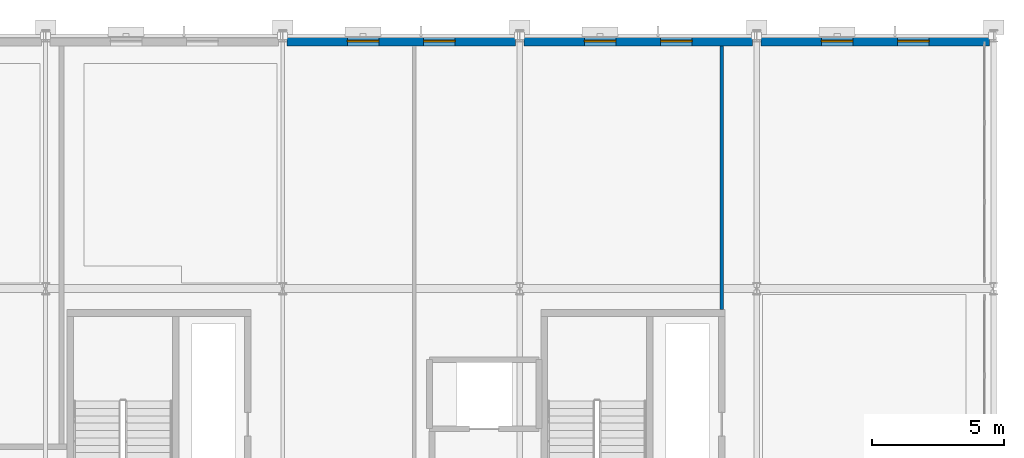
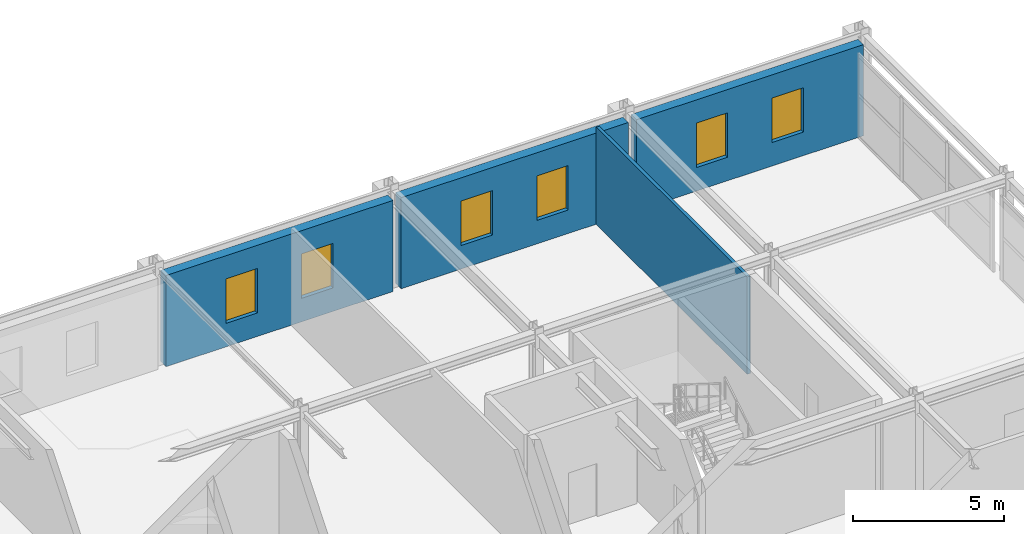
# One storey, part 53 of 81: 6 windows, 4 walls, 6 openings.
"""IFC4 building model written with IfcOpenShell, lengths in metres."""

from ifc_helpers import new_model, si_unit, direction, frame, frame_2d, origin, place, context, subcontext, project, spatial, rectangle, extrude, material, layer, layer_set, type_object, element, fill, save


model = new_model("IFC4")

# Units and contexts
model_context = context("Model", 3, precision=1e-05, world=origin(), true_north=direction((0.0, 1.0)))
body_context = subcontext(model_context, "Body", "Model", "MODEL_VIEW")
ifc_project = project(units=[si_unit("LENGTHUNIT", "METRE"), si_unit("AREAUNIT", "SQUARE_METRE"), si_unit("VOLUMEUNIT", "CUBIC_METRE"), si_unit("PLANEANGLEUNIT", "RADIAN"), si_unit("MASSUNIT", "GRAM", prefix="KILO")], contexts=[model_context])

# Site, building, storey
site_placement = place(None, origin())
site = spatial("IfcSite", under=ifc_project, at=site_placement, CompositionType="ELEMENT")
building_placement = place(site_placement, origin())
building = spatial("IfcBuilding", under=site, at=building_placement, Name="Myrtia Square Station", CompositionType="ELEMENT")
storey_placement = place(building_placement, frame((0.0, 0.0, 10.800048828125)))
storey = spatial("IfcBuildingStorey", under=building, at=storey_placement, Name="L02", CompositionType="ELEMENT", Elevation=10.800048828125)

# Wall, openings, windows
ifc_material_1 = material(Name="Cream lime stucco on clay brick masonry", Category="masonry")
ifc_layer_1 = layer(ifc_material_1, 0.360107421875, Name="Cream lime stucco on clay brick masonry")
ifc_layer_set_1 = layer_set([ifc_layer_1], Name="Cream lime stucco on clay brick masonry")
wall_type_1 = type_object("IfcWallType", Name="WL-EXT-STUCCO-360", PredefinedType="SOLIDWALL", material=ifc_layer_set_1)
wall_1_placement = place(storey_placement, frame((162.155029296875, 124.60009765625, 0.0), z_axis=(0.0, 0.0, 1.0), x_axis=(1.0, 0.0, 0.0)))
wall_1 = element("IfcWall", 1, at=wall_1_placement, inside=storey, type_object=wall_type_1, Name="Exterior envelope wall EW-L02-0125", PredefinedType="SOLIDWALL", context=body_context, shape_type="SweptSolid", body=[
    extrude(rectangle(XDim=8.68994140625, YDim=0.360107421875, at=frame_2d((4.344970703125, 0.0))), origin(), (0.0, 0.0, 1.0), 3.68994140625),
])
opening_1_placement = place(wall_1_placement, frame((2.297119140625, 0.0, 0.949951171875)))
opening_1 = element("IfcOpeningElement", 2, at=opening_1_placement, cuts=wall_1, Name="Opening WN-143", PredefinedType="OPENING", context=body_context, shape_type="SweptSolid", body=[
    extrude(rectangle(XDim=1.199951171875, YDim=1.800048828125, at=frame_2d((0.60009765625, 0.89990234375))), frame((0.0, 0.195068359375, 0.0), z_axis=(0.0, -1.0, 0.0), x_axis=(1.0, 0.0, 0.0)), (0.0, 0.0, 1.0), 0.39013671875),
])
opening_2_placement = place(wall_1_placement, frame((5.193115234375, 0.0, 0.949951171875)))
opening_2 = element("IfcOpeningElement", 3, at=opening_2_placement, cuts=wall_1, Name="Opening WN-144", PredefinedType="OPENING", context=body_context, shape_type="SweptSolid", body=[
    extrude(rectangle(XDim=1.199951171875, YDim=1.800048828125, at=frame_2d((0.60009765625, 0.89990234375))), frame((0.0, 0.195068359375, 0.0), z_axis=(0.0, -1.0, 0.0), x_axis=(1.0, 0.0, 0.0)), (0.0, 0.0, 1.0), 0.39013671875),
])
ifc_material_2 = material(Name="Tinted low-E solar control glass", Category="glass")
window_type = type_object("IfcWindowType", Name="WN-OPS-1200x1800", PartitioningType="SINGLE_PANEL", PredefinedType="WINDOW", material=ifc_material_2)
window_1_placement = place(opening_1_placement, origin())
window_1 = element("IfcWindow", 4, at=window_1_placement, inside=storey, type_object=window_type, Name="Window WN-143", OverallHeight=1.800048828125, OverallWidth=1.199951171875, PartitioningType="SINGLE_PANEL", PredefinedType="WINDOW", context=body_context, shape_type="SweptSolid", body=[
    extrude(rectangle(XDim=1.199951171875, YDim=1.800048828125, at=frame_2d((0.60009765625, 0.89990234375))), frame((0.0, 0.030029296875, 0.0), z_axis=(0.0, -1.0, 0.0), x_axis=(1.0, 0.0, 0.0)), (0.0, 0.0, 1.0), 0.06005859375),
])
fill(opening_1, window_1)
window_2_placement = place(opening_2_placement, origin())
window_2 = element("IfcWindow", 5, at=window_2_placement, inside=storey, type_object=window_type, Name="Window WN-144", OverallHeight=1.800048828125, OverallWidth=1.199951171875, PartitioningType="SINGLE_PANEL", PredefinedType="WINDOW", context=body_context, shape_type="SweptSolid", body=[
    extrude(rectangle(XDim=1.199951171875, YDim=1.800048828125, at=frame_2d((0.60009765625, 0.89990234375))), frame((0.0, 0.030029296875, 0.0), z_axis=(0.0, -1.0, 0.0), x_axis=(1.0, 0.0, 0.0)), (0.0, 0.0, 1.0), 0.06005859375),
])
fill(opening_2, window_2)

wall_2_placement = place(storey_placement, frame((171.155029296875, 124.60009765625, 0.0), z_axis=(0.0, 0.0, 1.0), x_axis=(1.0, 0.0, 0.0)))
wall_2 = element("IfcWall", 6, at=wall_2_placement, inside=storey, type_object=wall_type_1, Name="Exterior envelope wall EW-L02-0126", PredefinedType="SOLIDWALL", context=body_context, shape_type="SweptSolid", body=[
    extrude(rectangle(XDim=8.68994140625, YDim=0.360107421875, at=frame_2d((4.344970703125, 0.0))), origin(), (0.0, 0.0, 1.0), 3.68994140625),
])
opening_3_placement = place(wall_2_placement, frame((2.297119140625, 0.0, 0.949951171875)))
opening_3 = element("IfcOpeningElement", 7, at=opening_3_placement, cuts=wall_2, Name="Opening WN-145", PredefinedType="OPENING", context=body_context, shape_type="SweptSolid", body=[
    extrude(rectangle(XDim=1.199951171875, YDim=1.800048828125, at=frame_2d((0.60009765625, 0.89990234375))), frame((0.0, 0.195068359375, 0.0), z_axis=(0.0, -1.0, 0.0), x_axis=(1.0, 0.0, 0.0)), (0.0, 0.0, 1.0), 0.39013671875),
])
opening_4_placement = place(wall_2_placement, frame((5.193115234375, 0.0, 0.949951171875)))
opening_4 = element("IfcOpeningElement", 8, at=opening_4_placement, cuts=wall_2, Name="Opening WN-146", PredefinedType="OPENING", context=body_context, shape_type="SweptSolid", body=[
    extrude(rectangle(XDim=1.199951171875, YDim=1.800048828125, at=frame_2d((0.60009765625, 0.89990234375))), frame((0.0, 0.195068359375, 0.0), z_axis=(0.0, -1.0, 0.0), x_axis=(1.0, 0.0, 0.0)), (0.0, 0.0, 1.0), 0.39013671875),
])
window_3_placement = place(opening_3_placement, origin())
window_3 = element("IfcWindow", 9, at=window_3_placement, inside=storey, type_object=window_type, Name="Window WN-145", OverallHeight=1.800048828125, OverallWidth=1.199951171875, PartitioningType="SINGLE_PANEL", PredefinedType="WINDOW", context=body_context, shape_type="SweptSolid", body=[
    extrude(rectangle(XDim=1.199951171875, YDim=1.800048828125, at=frame_2d((0.60009765625, 0.89990234375))), frame((0.0, 0.030029296875, 0.0), z_axis=(0.0, -1.0, 0.0), x_axis=(1.0, 0.0, 0.0)), (0.0, 0.0, 1.0), 0.06005859375),
])
fill(opening_3, window_3)
window_4_placement = place(opening_4_placement, origin())
window_4 = element("IfcWindow", 10, at=window_4_placement, inside=storey, type_object=window_type, Name="Window WN-146", OverallHeight=1.800048828125, OverallWidth=1.199951171875, PartitioningType="SINGLE_PANEL", PredefinedType="WINDOW", context=body_context, shape_type="SweptSolid", body=[
    extrude(rectangle(XDim=1.199951171875, YDim=1.800048828125, at=frame_2d((0.60009765625, 0.89990234375))), frame((0.0, 0.030029296875, 0.0), z_axis=(0.0, -1.0, 0.0), x_axis=(1.0, 0.0, 0.0)), (0.0, 0.0, 1.0), 0.06005859375),
])
fill(opening_4, window_4)

wall_3_placement = place(storey_placement, frame((180.155029296875, 124.60009765625, 0.0), z_axis=(0.0, 0.0, 1.0), x_axis=(1.0, 0.0, 0.0)))
wall_3 = element("IfcWall", 11, at=wall_3_placement, inside=storey, type_object=wall_type_1, Name="Exterior envelope wall EW-L02-0127", PredefinedType="SOLIDWALL", context=body_context, shape_type="SweptSolid", body=[
    extrude(rectangle(XDim=8.68994140625, YDim=0.360107421875, at=frame_2d((4.344970703125, 0.0))), origin(), (0.0, 0.0, 1.0), 3.68994140625),
])
opening_5_placement = place(wall_3_placement, frame((2.297119140625, 0.0, 0.949951171875)))
opening_5 = element("IfcOpeningElement", 12, at=opening_5_placement, cuts=wall_3, Name="Opening WN-147", PredefinedType="OPENING", context=body_context, shape_type="SweptSolid", body=[
    extrude(rectangle(XDim=1.199951171875, YDim=1.800048828125, at=frame_2d((0.60009765625, 0.89990234375))), frame((0.0, 0.195068359375, 0.0), z_axis=(0.0, -1.0, 0.0), x_axis=(1.0, 0.0, 0.0)), (0.0, 0.0, 1.0), 0.39013671875),
])
opening_6_placement = place(wall_3_placement, frame((5.193115234375, 0.0, 0.949951171875)))
opening_6 = element("IfcOpeningElement", 13, at=opening_6_placement, cuts=wall_3, Name="Opening WN-148", PredefinedType="OPENING", context=body_context, shape_type="SweptSolid", body=[
    extrude(rectangle(XDim=1.199951171875, YDim=1.800048828125, at=frame_2d((0.60009765625, 0.89990234375))), frame((0.0, 0.195068359375, 0.0), z_axis=(0.0, -1.0, 0.0), x_axis=(1.0, 0.0, 0.0)), (0.0, 0.0, 1.0), 0.39013671875),
])
window_5_placement = place(opening_5_placement, origin())
window_5 = element("IfcWindow", 14, at=window_5_placement, inside=storey, type_object=window_type, Name="Window WN-147", OverallHeight=1.800048828125, OverallWidth=1.199951171875, PartitioningType="SINGLE_PANEL", PredefinedType="WINDOW", context=body_context, shape_type="SweptSolid", body=[
    extrude(rectangle(XDim=1.199951171875, YDim=1.800048828125, at=frame_2d((0.60009765625, 0.89990234375))), frame((0.0, 0.030029296875, 0.0), z_axis=(0.0, -1.0, 0.0), x_axis=(1.0, 0.0, 0.0)), (0.0, 0.0, 1.0), 0.06005859375),
])
fill(opening_5, window_5)
window_6_placement = place(opening_6_placement, origin())
window_6 = element("IfcWindow", 15, at=window_6_placement, inside=storey, type_object=window_type, Name="Window WN-148", OverallHeight=1.800048828125, OverallWidth=1.199951171875, PartitioningType="SINGLE_PANEL", PredefinedType="WINDOW", context=body_context, shape_type="SweptSolid", body=[
    extrude(rectangle(XDim=1.199951171875, YDim=1.800048828125, at=frame_2d((0.60009765625, 0.89990234375))), frame((0.0, 0.030029296875, 0.0), z_axis=(0.0, -1.0, 0.0), x_axis=(1.0, 0.0, 0.0)), (0.0, 0.0, 1.0), 0.06005859375),
])
fill(opening_6, window_6)

# Wall
ifc_material_3 = material(Name="Gypsum plasterboard")
ifc_layer_2 = layer(ifc_material_3, 0.125, Name="Gypsum plasterboard")
ifc_layer_set_2 = layer_set([ifc_layer_2], Name="Gypsum plasterboard")
wall_type_2 = type_object("IfcWallType", Name="WL-PART-125", PredefinedType="PARTITIONING", material=ifc_layer_set_2)
wall_4_placement = place(storey_placement, frame((178.675048828125, 114.409912109375, 0.0), z_axis=(0.0, 0.0, 1.0), x_axis=(0.0, 1.0, 0.0)))
element("IfcWall", 16, at=wall_4_placement, inside=storey, type_object=wall_type_2, Name="Sanitary enclosure partition L02-17", PredefinedType="PARTITIONING", context=body_context, shape_type="SweptSolid", body=[
    extrude(rectangle(XDim=10.0, YDim=0.125, at=frame_2d((5.0, 0.0))), origin(), (0.0, 0.0, 1.0), 3.93994140625),
])

save(model, "model.ifc")
